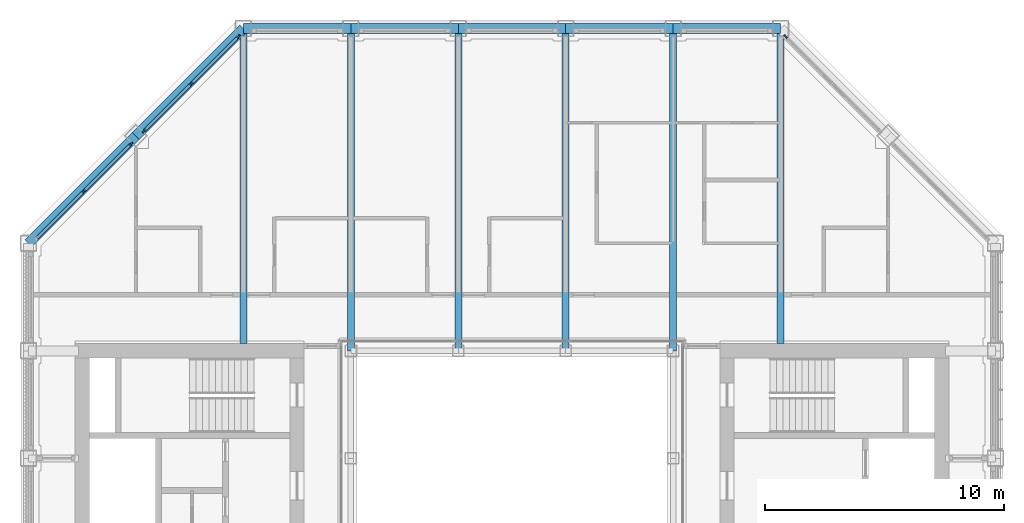
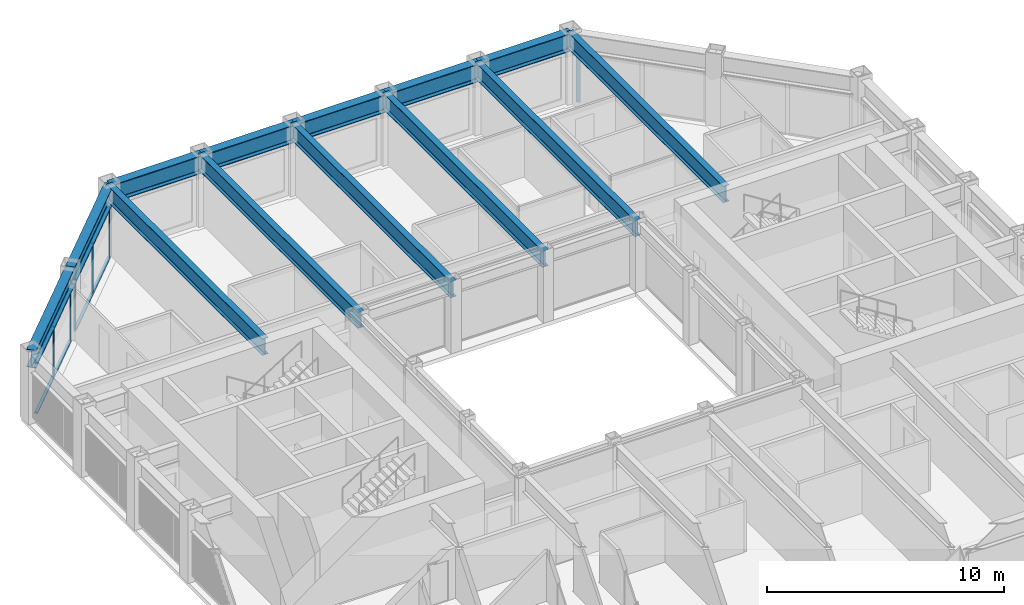
# One storey, part 6 of 18: 14 members, 13 beams, 3 elements without a shape of their own.
"""IFC4 building model written with IfcOpenShell, lengths in metres."""

from ifc_helpers import new_model, si_unit, direction, frame, origin, origin_2d, place, context, subcontext, project, spatial, rectangle, i_section, extrude, material, material_profile, profile_set, type_object, element, aggregate, save


model = new_model("IFC4")

# Units and contexts
model_context = context("Model", 3, precision=1e-05, world=origin(), true_north=direction((0.0, 1.0)))
body_context = subcontext(model_context, "Body", "Model", "MODEL_VIEW")
ifc_project = project(units=[si_unit("LENGTHUNIT", "METRE"), si_unit("AREAUNIT", "SQUARE_METRE"), si_unit("VOLUMEUNIT", "CUBIC_METRE"), si_unit("PLANEANGLEUNIT", "RADIAN"), si_unit("MASSUNIT", "GRAM", prefix="KILO")], contexts=[model_context])

# Site, building, storey
site_placement = place(None, origin())
site = spatial("IfcSite", under=ifc_project, at=site_placement, CompositionType="ELEMENT")
building_placement = place(site_placement, origin())
building = spatial("IfcBuilding", under=site, at=building_placement, Name="Msasa Ring Tower", CompositionType="ELEMENT")
storey_placement = place(building_placement, frame((0.0, 0.0, 230.800048828125)))
storey = spatial("IfcBuildingStorey", under=building, at=storey_placement, Name="L60", CompositionType="ELEMENT", Elevation=230.800048828125)

# Curtain wall, member
ifc_material_1 = material(Name="Aluminium curtain wall with clear glass", Category="aluminium")
curtain_wall_type = type_object("IfcCurtainWallType", Name="CW-C CHAMFER CORNER CURTAIN WALL", PredefinedType="NOTDEFINED", material=ifc_material_1)
curtain_wall_1_placement = place(storey_placement, origin())
curtain_wall_1 = element("IfcCurtainWall", 1, at=curtain_wall_1_placement, inside=storey, type_object=curtain_wall_type, Name="Chamfer corner curtain wall NE L60", PredefinedType="NOTDEFINED")
ifc_material_2 = material(Name="Aluminium mullion", Category="aluminium")
ifc_material_profile_1 = material_profile(ifc_material_2, rectangle(XDim=0.06494140625, YDim=0.179931640625, at=origin_2d()), Name="AL 65x180")
ifc_profile_set_1 = profile_set([ifc_material_profile_1], Name="Aluminium mullion")
member_type_1 = type_object("IfcMemberType", Name="CW-C MULLION 65x180", PredefinedType="MULLION", material=ifc_profile_set_1)
member_1_placement = place(storey_placement, frame((11.453369140625, 19.9052734375, 0.0), z_axis=(0.0, 0.0, 1.0), x_axis=(-0.707106781187, -0.707106781187, 0.0)))
member_1 = element("IfcMember", 2, at=member_1_placement, type_object=member_type_1, Name="CW-C mullion 3", PredefinedType="MULLION", context=body_context, shape_type="SweptSolid", body=[
    extrude(rectangle(XDim=0.06494140625, YDim=0.179931640625, at=origin_2d()), origin(), (0.0, 0.0, 1.0), 2.62890625),
])
aggregate(curtain_wall_1, [member_1])

# Curtain wall, members
curtain_wall_2_placement = place(storey_placement, origin())
curtain_wall_2 = element("IfcCurtainWall", 3, at=curtain_wall_2_placement, inside=storey, type_object=curtain_wall_type, Name="Chamfer corner curtain wall NW L60", PredefinedType="NOTDEFINED")
member_2_placement = place(storey_placement, frame((-15.953369140625, 15.4052734375, 0.0), z_axis=(0.0, 0.0, 1.0), x_axis=(0.707106781187, -0.707106781187, 0.0)))
member_2 = element("IfcMember", 4, at=member_2_placement, type_object=member_type_1, Name="CW-C mullion 1", PredefinedType="MULLION", context=body_context, shape_type="SweptSolid", body=[
    extrude(rectangle(XDim=0.06494140625, YDim=0.179931640625, at=origin_2d()), origin(), (0.0, 0.0, 1.0), 2.62890625),
])
member_3_placement = place(storey_placement, frame((-17.92919921875, 13.42919921875, 0.0), z_axis=(0.0, 0.0, 1.0), x_axis=(0.707106781187, -0.707106781187, 0.0)))
member_3 = element("IfcMember", 5, at=member_3_placement, type_object=member_type_1, Name="CW-C mullion 2", PredefinedType="MULLION", context=body_context, shape_type="SweptSolid", body=[
    extrude(rectangle(XDim=0.06494140625, YDim=0.179931640625, at=origin_2d()), origin(), (0.0, 0.0, 1.0), 2.62890625),
])

curtain_wall_3_placement = place(storey_placement, origin())
curtain_wall_3 = element("IfcCurtainWall", 6, at=curtain_wall_3_placement, inside=storey, type_object=curtain_wall_type, Name="Chamfer corner curtain wall NW L60", PredefinedType="NOTDEFINED")
member_4_placement = place(storey_placement, frame((-11.453369140625, 19.9052734375, 0.0), z_axis=(0.0, 0.0, 1.0), x_axis=(0.707106781187, -0.707106781187, 0.0)))
member_4 = element("IfcMember", 7, at=member_4_placement, type_object=member_type_1, Name="CW-C mullion 1", PredefinedType="MULLION", context=body_context, shape_type="SweptSolid", body=[
    extrude(rectangle(XDim=0.06494140625, YDim=0.179931640625, at=origin_2d()), origin(), (0.0, 0.0, 1.0), 2.62890625),
])
member_5_placement = place(storey_placement, frame((-13.42919921875, 17.92919921875, 0.0), z_axis=(0.0, 0.0, 1.0), x_axis=(0.707106781187, -0.707106781187, 0.0)))
member_5 = element("IfcMember", 8, at=member_5_placement, type_object=member_type_1, Name="CW-C mullion 2", PredefinedType="MULLION", context=body_context, shape_type="SweptSolid", body=[
    extrude(rectangle(XDim=0.06494140625, YDim=0.179931640625, at=origin_2d()), origin(), (0.0, 0.0, 1.0), 2.62890625),
])
member_6_placement = place(storey_placement, frame((-15.4052734375, 15.953369140625, 0.0), z_axis=(0.0, 0.0, 1.0), x_axis=(0.707106781187, -0.707106781187, 0.0)))
member_6 = element("IfcMember", 9, at=member_6_placement, type_object=member_type_1, Name="CW-C mullion 3", PredefinedType="MULLION", context=body_context, shape_type="SweptSolid", body=[
    extrude(rectangle(XDim=0.06494140625, YDim=0.179931640625, at=origin_2d()), origin(), (0.0, 0.0, 1.0), 2.62890625),
])

# Member
ifc_material_3 = material(Name="Aluminium transom", Category="aluminium")
ifc_material_profile_2 = material_profile(ifc_material_3, rectangle(XDim=0.139892578125, YDim=0.06494140625, at=origin_2d()), Name="AL 65x140")
ifc_profile_set_2 = profile_set([ifc_material_profile_2], Name="Aluminium transom")
member_type_2 = type_object("IfcMemberType", Name="CW-C TRANSOM 65x140", PredefinedType="USERDEFINED", material=ifc_profile_set_2)
member_7_placement = place(storey_placement, frame((-15.976318359375, 15.38232421875, 0.032470703125), z_axis=(-0.707106781187, -0.707106781187, 0.0), x_axis=(0.707106781187, -0.707106781187, 0.0)))
member_7 = element("IfcMember", 10, at=member_7_placement, type_object=member_type_2, Name="CW-C transom 1.1", ObjectType="TRANSOM", PredefinedType="USERDEFINED", context=body_context, shape_type="SweptSolid", body=[
    extrude(rectangle(XDim=0.139892578125, YDim=0.06494140625, at=origin_2d()), origin(), (0.0, 0.0, 1.0), 2.729248046875),
])

member_8_placement = place(storey_placement, frame((-15.976318359375, 15.38232421875, 2.596435546875), z_axis=(-0.707106781187, -0.707106781187, 0.0), x_axis=(0.707106781187, -0.707106781187, 0.0)))
member_8 = element("IfcMember", 11, at=member_8_placement, type_object=member_type_2, Name="CW-C transom 1.2", ObjectType="TRANSOM", PredefinedType="USERDEFINED", context=body_context, shape_type="SweptSolid", body=[
    extrude(rectangle(XDim=0.139892578125, YDim=0.06494140625, at=origin_2d()), origin(), (0.0, 0.0, 1.0), 2.729248046875),
])

member_9_placement = place(storey_placement, frame((-17.952392578125, 13.40625, 0.032470703125), z_axis=(-0.707106781187, -0.707106781187, 0.0), x_axis=(0.707106781187, -0.707106781187, 0.0)))
member_9 = element("IfcMember", 12, at=member_9_placement, type_object=member_type_2, Name="CW-C transom 2.1", ObjectType="TRANSOM", PredefinedType="USERDEFINED", context=body_context, shape_type="SweptSolid", body=[
    extrude(rectangle(XDim=0.139892578125, YDim=0.06494140625, at=origin_2d()), origin(), (0.0, 0.0, 1.0), 2.729248046875),
])

member_10_placement = place(storey_placement, frame((-17.952392578125, 13.40625, 2.596435546875), z_axis=(-0.707106781187, -0.707106781187, 0.0), x_axis=(0.707106781187, -0.707106781187, 0.0)))
member_10 = element("IfcMember", 13, at=member_10_placement, type_object=member_type_2, Name="CW-C transom 2.2", ObjectType="TRANSOM", PredefinedType="USERDEFINED", context=body_context, shape_type="SweptSolid", body=[
    extrude(rectangle(XDim=0.139892578125, YDim=0.06494140625, at=origin_2d()), origin(), (0.0, 0.0, 1.0), 2.729248046875),
])

aggregate(curtain_wall_2, [member_2, member_3, member_7, member_8, member_9, member_10])

member_11_placement = place(storey_placement, frame((-11.476318359375, 19.88232421875, 0.032470703125), z_axis=(-0.707106781187, -0.707106781187, 0.0), x_axis=(0.707106781187, -0.707106781187, 0.0)))
member_11 = element("IfcMember", 14, at=member_11_placement, type_object=member_type_2, Name="CW-C transom 1.1", ObjectType="TRANSOM", PredefinedType="USERDEFINED", context=body_context, shape_type="SweptSolid", body=[
    extrude(rectangle(XDim=0.139892578125, YDim=0.06494140625, at=origin_2d()), origin(), (0.0, 0.0, 1.0), 2.729248046875),
])

member_12_placement = place(storey_placement, frame((-11.476318359375, 19.88232421875, 2.596435546875), z_axis=(-0.707106781187, -0.707106781187, 0.0), x_axis=(0.707106781187, -0.707106781187, 0.0)))
member_12 = element("IfcMember", 15, at=member_12_placement, type_object=member_type_2, Name="CW-C transom 1.2", ObjectType="TRANSOM", PredefinedType="USERDEFINED", context=body_context, shape_type="SweptSolid", body=[
    extrude(rectangle(XDim=0.139892578125, YDim=0.06494140625, at=origin_2d()), origin(), (0.0, 0.0, 1.0), 2.729248046875),
])

member_13_placement = place(storey_placement, frame((-13.452392578125, 17.90625, 0.032470703125), z_axis=(-0.707106781187, -0.707106781187, 0.0), x_axis=(0.707106781187, -0.707106781187, 0.0)))
member_13 = element("IfcMember", 16, at=member_13_placement, type_object=member_type_2, Name="CW-C transom 2.1", ObjectType="TRANSOM", PredefinedType="USERDEFINED", context=body_context, shape_type="SweptSolid", body=[
    extrude(rectangle(XDim=0.139892578125, YDim=0.06494140625, at=origin_2d()), origin(), (0.0, 0.0, 1.0), 2.729248046875),
])

member_14_placement = place(storey_placement, frame((-13.452392578125, 17.90625, 2.596435546875), z_axis=(-0.707106781187, -0.707106781187, 0.0), x_axis=(0.707106781187, -0.707106781187, 0.0)))
member_14 = element("IfcMember", 17, at=member_14_placement, type_object=member_type_2, Name="CW-C transom 2.2", ObjectType="TRANSOM", PredefinedType="USERDEFINED", context=body_context, shape_type="SweptSolid", body=[
    extrude(rectangle(XDim=0.139892578125, YDim=0.06494140625, at=origin_2d()), origin(), (0.0, 0.0, 1.0), 2.729248046875),
])

aggregate(curtain_wall_3, [member_4, member_5, member_6, member_11, member_12, member_13, member_14])

# Beams
ifc_material_4 = material(Name="Steel S355", Category="steel")
ifc_material_profile_3 = material_profile(ifc_material_4, i_section(OverallWidth=0.293701171875, OverallDepth=0.850830078125, WebThickness=0.01611328125, FlangeThickness=0.02685546875, FilletRadius=0.017822265625, at=origin_2d()), Name="UB 838x292x226")
ifc_profile_set_3 = profile_set([ifc_material_profile_3], Name="Steel S355")
beam_type_1 = type_object("IfcBeamType", Name="FB5 UB 838x292x226", PredefinedType="BEAM", material=ifc_profile_set_3)
beam_1_placement = place(storey_placement, frame((-11.25, 20.25, 3.12451171875), z_axis=(0.0, -1.0, 0.0), x_axis=(1.0, 0.0, 0.0)))
element("IfcBeam", 18, at=beam_1_placement, inside=storey, type_object=beam_type_1, Name="Floor beam N-11.25 under L61", PredefinedType="BEAM", context=body_context, shape_type="SweptSolid", body=[
    extrude(i_section(OverallWidth=0.293701171875, OverallDepth=0.850830078125, WebThickness=0.01611328125, FlangeThickness=0.02685546875, FilletRadius=0.017822265625, at=origin_2d()), origin(), (0.0, 0.0, 1.0), 13.199951171875),
])
for number, where, z_axis, x_axis, name in (
    (19, (-6.75, 20.25, 3.12451171875), (0.0, -1.0, 0.0), (1.0, 0.0, 0.0), "Floor beam N-6.75 under L61"),
    (20, (-2.25, 20.25, 3.12451171875), (0.0, -1.0, 0.0), (1.0, 0.0, 0.0), "Floor beam N-2.25 under L61"),
    (21, (2.25, 20.25, 3.12451171875), (0.0, -1.0, 0.0), (1.0, 0.0, 0.0), "Floor beam N+2.25 under L61"),
    (22, (6.75, 20.25, 3.12451171875), (0.0, -1.0, 0.0), (1.0, 0.0, 0.0), "Floor beam N+6.75 under L61"),
):
    element("IfcBeam", number, at=place(storey_placement, frame(where, z_axis=z_axis, x_axis=x_axis)), inside=storey, type_object=beam_type_1, Name=name, PredefinedType="BEAM", context=body_context, shape_type="SweptSolid", body=[
        extrude(i_section(OverallWidth=0.293701171875, OverallDepth=0.850830078125, WebThickness=0.01611328125, FlangeThickness=0.02685546875, FilletRadius=0.017822265625, at=origin_2d()), origin(), (0.0, 0.0, 1.0), 13.5),
    ])
beam_2_placement = place(storey_placement, frame((11.25, 20.25, 3.12451171875), z_axis=(0.0, -1.0, 0.0), x_axis=(1.0, 0.0, 0.0)))
element("IfcBeam", 23, at=beam_2_placement, inside=storey, type_object=beam_type_1, Name="Floor beam N+11.25 under L61", PredefinedType="BEAM", context=body_context, shape_type="SweptSolid", body=[
    extrude(i_section(OverallWidth=0.293701171875, OverallDepth=0.850830078125, WebThickness=0.01611328125, FlangeThickness=0.02685546875, FilletRadius=0.017822265625, at=origin_2d()), origin(), (0.0, 0.0, 1.0), 13.199951171875),
])
ifc_material_5 = material(Name="Steel S355", Category="steel")
ifc_material_profile_4 = material_profile(ifc_material_5, i_section(OverallWidth=0.42041015625, OverallDepth=0.9208984375, WebThickness=0.021484375, FlangeThickness=0.03662109375, FilletRadius=0.024169921875, at=origin_2d()), Name="UB 914x419x388")
ifc_profile_set_4 = profile_set([ifc_material_profile_4], Name="Steel S355")
beam_type_2 = type_object("IfcBeamType", Name="SB1 UB 914x419x388", PredefinedType="SPANDREL", material=ifc_profile_set_4)
for number, where, z_axis, x_axis, name in (
    (24, (11.25, 20.25, 3.08935546875), (-1.0, 0.0, 0.0), (0.0, -1.0, 0.0), "Spandrel N+11.25 to N+6.75 under L61"),
    (25, (6.75, 20.25, 3.08935546875), (-1.0, 0.0, 0.0), (0.0, -1.0, 0.0), "Spandrel N+6.75 to N+2.25 under L61"),
    (26, (2.25, 20.25, 3.08935546875), (-1.0, 0.0, 0.0), (0.0, -1.0, 0.0), "Spandrel N+2.25 to N-2.25 under L61"),
    (27, (-2.25, 20.25, 3.08935546875), (-1.0, 0.0, 0.0), (0.0, -1.0, 0.0), "Spandrel N-2.25 to N-6.75 under L61"),
    (28, (-6.75, 20.25, 3.08935546875), (-1.0, 0.0, 0.0), (0.0, -1.0, 0.0), "Spandrel N-6.75 to N-11.25 under L61"),
):
    element("IfcBeam", number, at=place(storey_placement, frame(where, z_axis=z_axis, x_axis=x_axis)), inside=storey, type_object=beam_type_2, Name=name, PredefinedType="SPANDREL", context=body_context, shape_type="SweptSolid", body=[
        extrude(i_section(OverallWidth=0.42041015625, OverallDepth=0.9208984375, WebThickness=0.021484375, FlangeThickness=0.03662109375, FilletRadius=0.024169921875, at=origin_2d()), origin(), (0.0, 0.0, 1.0), 4.5),
    ])
for number, where, z_axis, x_axis, name in (
    (29, (-11.25, 20.25, 3.08935546875), (-0.707106781187, -0.707106781187, 0.0), (0.707106781187, -0.707106781187, 0.0), "Spandrel N-11.25 to NW under L61"),
    (30, (-15.75, 15.75, 3.08935546875), (-0.707106781187, -0.707106781187, 0.0), (0.707106781187, -0.707106781187, 0.0), "Spandrel NW to W+11.25 under L61"),
):
    element("IfcBeam", number, at=place(storey_placement, frame(where, z_axis=z_axis, x_axis=x_axis)), inside=storey, type_object=beam_type_2, Name=name, PredefinedType="SPANDREL", context=body_context, shape_type="SweptSolid", body=[
        extrude(i_section(OverallWidth=0.42041015625, OverallDepth=0.9208984375, WebThickness=0.021484375, FlangeThickness=0.03662109375, FilletRadius=0.024169921875, at=origin_2d()), origin(), (0.0, 0.0, 1.0), 6.364013671875),
    ])

save(model, "model.ifc")
